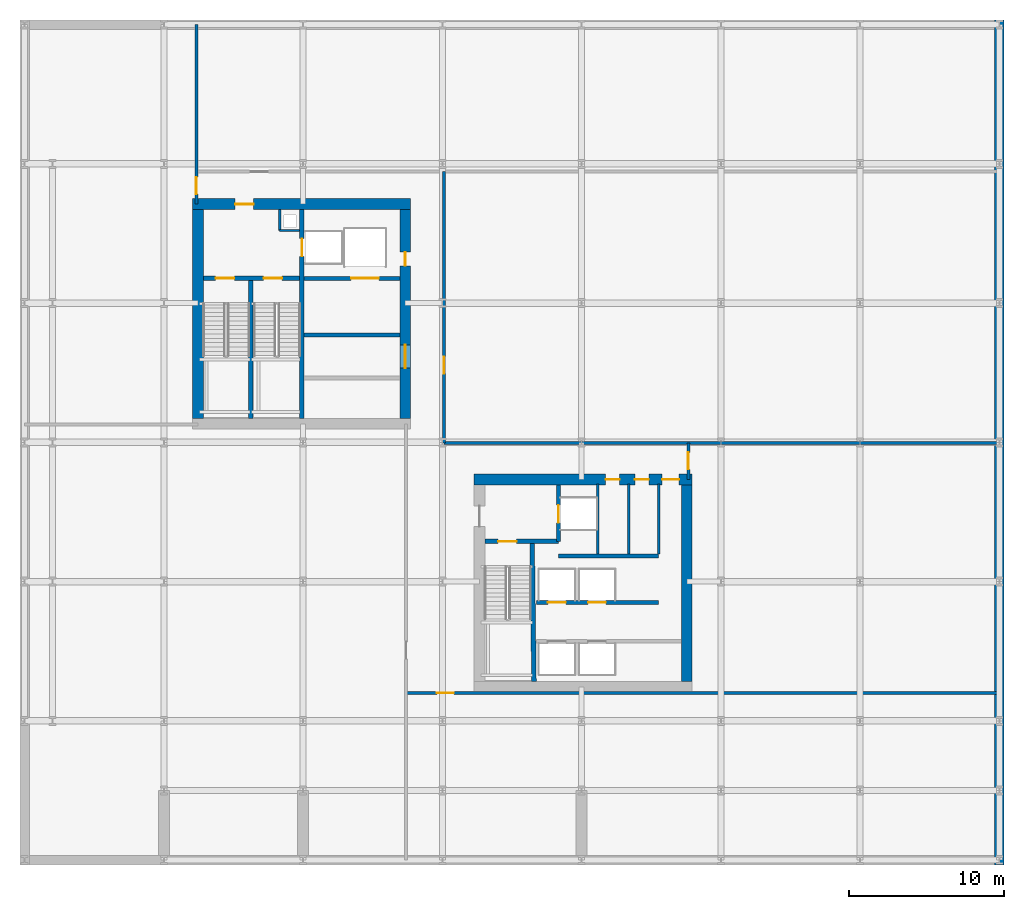
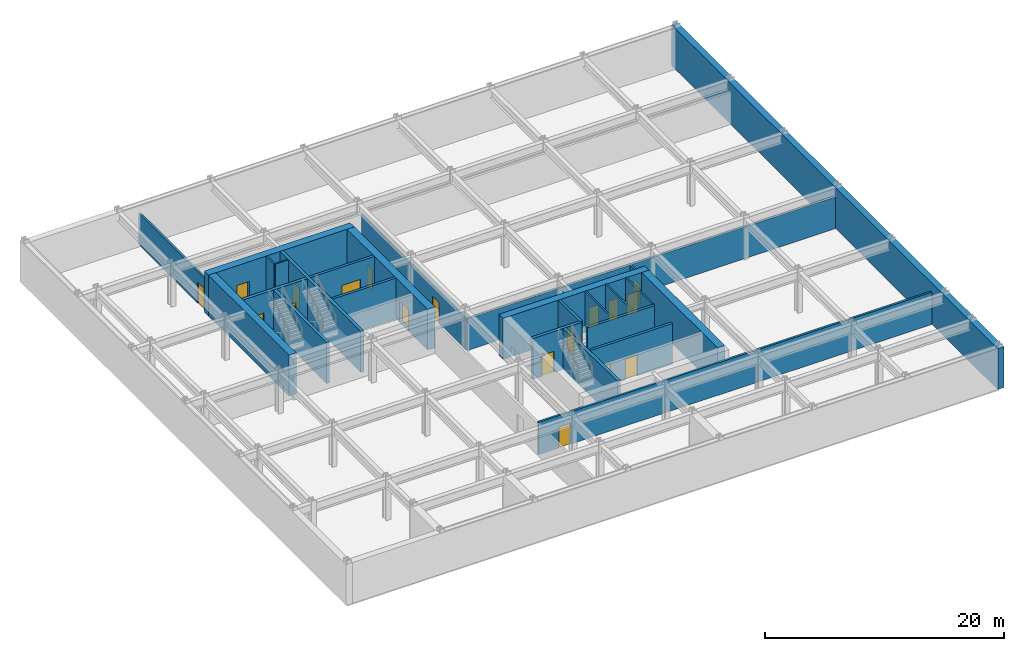
# One storey, part 3 of 6: 26 walls, 18 doors, 18 openings.
"""IFC4 building model written with IfcOpenShell, lengths in metres."""

from ifc_helpers import new_model, si_unit, direction, frame, frame_2d, origin, place, context, subcontext, project, spatial, rectangle, extrude, material, layer, layer_set, type_object, element, fill, save


model = new_model("IFC4")

# Units and contexts
model_context = context("Model", 3, precision=1e-05, world=origin(), true_north=direction((0.0, 1.0)))
body_context = subcontext(model_context, "Body", "Model", "MODEL_VIEW")
ifc_project = project(units=[si_unit("LENGTHUNIT", "METRE"), si_unit("AREAUNIT", "SQUARE_METRE"), si_unit("VOLUMEUNIT", "CUBIC_METRE"), si_unit("PLANEANGLEUNIT", "RADIAN"), si_unit("MASSUNIT", "GRAM", prefix="KILO")], contexts=[model_context])

# Site, building, storey
site_placement = place(None, origin())
site = spatial("IfcSite", under=ifc_project, at=site_placement, CompositionType="ELEMENT")
building_placement = place(site_placement, origin())
building = spatial("IfcBuilding", under=site, at=building_placement, Name="Solvaryn Broadcast Tower", CompositionType="ELEMENT")
storey_placement = place(building_placement, frame((0.0, 0.0, -4.5)))
storey = spatial("IfcBuildingStorey", under=building, at=storey_placement, Name="B01", CompositionType="ELEMENT", Elevation=-4.5)

# Wall, opening, door
ifc_material_1 = material(Name="Concrete f'c 70 MPa", Category="concrete")
ifc_layer_1 = layer(ifc_material_1, 0.699951171875)
ifc_layer_set_1 = layer_set([ifc_layer_1], Name="CW-SHEAR-700")
wall_type_1 = type_object("IfcWallType", Name="CW-SHEAR-700", PredefinedType="SHEAR", material=ifc_layer_set_1)
wall_1_placement = place(storey_placement, frame((24.949951171875, 42.39990234375, 0.0), z_axis=(0.0, 0.0, 1.0), x_axis=(-1.0, 0.0, 0.0)))
wall_1 = element("IfcWall", 1, at=wall_1_placement, inside=storey, type_object=wall_type_1, Name="B01 West Core North Shear Wall", PredefinedType="SHEAR", context=body_context, shape_type="SweptSolid", body=[
    extrude(rectangle(XDim=14.099853515625, YDim=0.699951171875, at=frame_2d((7.0498046875, 0.0))), origin(), (0.0, 0.0, 1.0), 4.179931640625),
])
opening_1_placement = place(wall_1_placement, frame((10.14990234375, 0.0, 0.0)))
opening_1 = element("IfcOpeningElement", 2, at=opening_1_placement, cuts=wall_1, Name="Opening FD90A", PredefinedType="OPENING", context=body_context, shape_type="SweptSolid", body=[
    extrude(rectangle(XDim=1.199951171875, YDim=2.14990234375, at=frame_2d((0.60009765625, 1.074951171875))), frame((0.0, 0.360107421875, 0.0), z_axis=(0.0, -1.0, 0.0), x_axis=(1.0, 0.0, 0.0)), (0.0, 0.0, 1.0), 0.719970703125),
])
ifc_material_2 = material(Name="Flush Acoustic Steel and Timber Door Assembly", Category="steel")
door_type_1 = type_object("IfcDoorType", Name="FD90-STAIR-1200X2150", OperationType="NOTDEFINED", PredefinedType="DOOR", material=ifc_material_2)
door_1_placement = place(opening_1_placement, origin())
door_1 = element("IfcDoor", 3, at=door_1_placement, inside=storey, type_object=door_type_1, Name="B01 West FSAE Lobby Corridor Door", OperationType="SINGLE_SWING_LEFT", OverallHeight=2.14990234375, OverallWidth=1.199951171875, PredefinedType="DOOR", context=body_context, shape_type="SweptSolid", body=[
    extrude(rectangle(XDim=1.199951171875, YDim=2.14990234375, at=frame_2d((0.60009765625, 1.074951171875))), frame((0.0, 0.02490234375, 0.0), z_axis=(0.0, -1.0, 0.0), x_axis=(1.0, 0.0, 0.0)), (0.0, 0.0, 1.0), 0.050048828125),
])
fill(opening_1, door_1)

# Wall
wall_2_placement = place(storey_placement, frame((11.199951171875, 42.050048828125, 0.0), z_axis=(0.0, 0.0, 1.0), x_axis=(0.0, -1.0, 0.0)))
element("IfcWall", 4, at=wall_2_placement, inside=storey, type_object=wall_type_1, Name="B01 West Core West Shear Wall", PredefinedType="SHEAR", context=body_context, shape_type="SweptSolid", body=[
    extrude(rectangle(XDim=13.5, YDim=0.699951171875, at=frame_2d((6.75, 0.0))), origin(), (0.0, 0.0, 1.0), 4.179931640625),
])

# Wall, openings, doors
wall_3_placement = place(storey_placement, frame((24.60009765625, 28.550048828125, 0.0), z_axis=(0.0, 0.0, 1.0), x_axis=(0.0, 1.0, 0.0)))
wall_3 = element("IfcWall", 5, at=wall_3_placement, inside=storey, type_object=wall_type_1, Name="B01 West Core East Shear Wall", PredefinedType="SHEAR", context=body_context, shape_type="SweptSolid", body=[
    extrude(rectangle(XDim=13.5, YDim=0.699951171875, at=frame_2d((6.75, 0.0))), origin(), (0.0, 0.0, 1.0), 4.179931640625),
])
opening_2_placement = place(wall_3_placement, frame((3.25, 0.0, 0.0)))
opening_2 = element("IfcOpeningElement", 6, at=opening_2_placement, cuts=wall_3, Name="Opening FD60A", PredefinedType="OPENING", context=body_context, shape_type="SweptSolid", body=[
    extrude(rectangle(XDim=1.5, YDim=2.199951171875, at=frame_2d((0.75, 1.10009765625))), frame((0.0, 0.360107421875, 0.0), z_axis=(0.0, -1.0, 0.0), x_axis=(1.0, 0.0, 0.0)), (0.0, 0.0, 1.0), 0.719970703125),
])
opening_3_placement = place(wall_3_placement, frame((9.85009765625, 0.0, 0.0)))
opening_3 = element("IfcOpeningElement", 7, at=opening_3_placement, cuts=wall_3, Name="Opening FD60C", PredefinedType="OPENING", context=body_context, shape_type="SweptSolid", body=[
    extrude(rectangle(XDim=0.89990234375, YDim=2.10009765625, at=frame_2d((0.449951171875, 1.050048828125))), frame((0.0, 0.360107421875, 0.0), z_axis=(0.0, -1.0, 0.0), x_axis=(1.0, 0.0, 0.0)), (0.0, 0.0, 1.0), 0.719970703125),
])
ifc_material_3 = material(Name="Flush Acoustic Steel and Timber Door Assembly", Category="steel")
door_type_2 = type_object("IfcDoorType", Name="FD60-CORR-1500X2200", OperationType="NOTDEFINED", PredefinedType="DOOR", material=ifc_material_3)
door_2_placement = place(opening_2_placement, origin())
door_2 = element("IfcDoor", 8, at=door_2_placement, inside=storey, type_object=door_type_2, Name="B01 West Elevator Lobby Corridor Door", OperationType="DOUBLE_DOOR_SINGLE_SWING", OverallHeight=2.199951171875, OverallWidth=1.5, PredefinedType="DOOR", context=body_context, shape_type="SweptSolid", body=[
    extrude(rectangle(XDim=1.5, YDim=2.199951171875, at=frame_2d((0.75, 1.10009765625))), frame((0.0, 0.02490234375, 0.0), z_axis=(0.0, -1.0, 0.0), x_axis=(1.0, 0.0, 0.0)), (0.0, 0.0, 1.0), 0.050048828125),
])
fill(opening_2, door_2)
ifc_material_4 = material(Name="Flush Acoustic Steel and Timber Door Assembly", Category="steel")
door_type_3 = type_object("IfcDoorType", Name="FD60-SERV-900X2100", OperationType="NOTDEFINED", PredefinedType="DOOR", material=ifc_material_4)
door_3_placement = place(opening_3_placement, origin())
door_3 = element("IfcDoor", 9, at=door_3_placement, inside=storey, type_object=door_type_3, Name="B01 West Core Service Door 1", OperationType="SINGLE_SWING_LEFT", OverallHeight=2.10009765625, OverallWidth=0.89990234375, PredefinedType="DOOR", context=body_context, shape_type="SweptSolid", body=[
    extrude(rectangle(XDim=0.89990234375, YDim=2.10009765625, at=frame_2d((0.449951171875, 1.050048828125))), frame((0.0, 0.02490234375, 0.0), z_axis=(0.0, -1.0, 0.0), x_axis=(1.0, 0.0, 0.0)), (0.0, 0.0, 1.0), 0.050048828125),
])
fill(opening_3, door_3)

wall_4_placement = place(storey_placement, frame((43.14990234375, 24.60009765625, 0.0), z_axis=(0.0, 0.0, 1.0), x_axis=(-1.0, 0.0, 0.0)))
wall_4 = element("IfcWall", 10, at=wall_4_placement, inside=storey, type_object=wall_type_1, Name="B01 East Core North Shear Wall", PredefinedType="SHEAR", context=body_context, shape_type="SweptSolid", body=[
    extrude(rectangle(XDim=14.099853515625, YDim=0.699951171875, at=frame_2d((7.0498046875, 0.0))), origin(), (0.0, 0.0, 1.0), 4.179931640625),
])
opening_4_placement = place(wall_4_placement, frame((0.85009765625, 0.0, 0.0)))
opening_4 = element("IfcOpeningElement", 11, at=opening_4_placement, cuts=wall_4, Name="Opening FD90C", PredefinedType="OPENING", context=body_context, shape_type="SweptSolid", body=[
    extrude(rectangle(XDim=1.10009765625, YDim=2.14990234375, at=frame_2d((0.550048828125, 1.074951171875))), frame((0.0, 0.360107421875, 0.0), z_axis=(0.0, -1.0, 0.0), x_axis=(1.0, 0.0, 0.0)), (0.0, 0.0, 1.0), 0.719970703125),
])
opening_5_placement = place(wall_4_placement, frame((2.800048828125, 0.0, 0.0)))
opening_5 = element("IfcOpeningElement", 12, at=opening_5_placement, cuts=wall_4, Name="Opening FD60C", PredefinedType="OPENING", context=body_context, shape_type="SweptSolid", body=[
    extrude(rectangle(XDim=0.89990234375, YDim=2.10009765625, at=frame_2d((0.449951171875, 1.050048828125))), frame((0.0, 0.360107421875, 0.0), z_axis=(0.0, -1.0, 0.0), x_axis=(1.0, 0.0, 0.0)), (0.0, 0.0, 1.0), 0.719970703125),
])
opening_6_placement = place(wall_4_placement, frame((4.699951171875, 0.0, 0.0)))
opening_6 = element("IfcOpeningElement", 13, at=opening_6_placement, cuts=wall_4, Name="Opening FD60C", PredefinedType="OPENING", context=body_context, shape_type="SweptSolid", body=[
    extrude(rectangle(XDim=0.89990234375, YDim=2.10009765625, at=frame_2d((0.449951171875, 1.050048828125))), frame((0.0, 0.360107421875, 0.0), z_axis=(0.0, -1.0, 0.0), x_axis=(1.0, 0.0, 0.0)), (0.0, 0.0, 1.0), 0.719970703125),
])
door_4_placement = place(opening_5_placement, origin())
door_4 = element("IfcDoor", 14, at=door_4_placement, inside=storey, type_object=door_type_3, Name="B01 Staff Restroom Door", OperationType="SINGLE_SWING_LEFT", OverallHeight=2.10009765625, OverallWidth=0.89990234375, PredefinedType="DOOR", context=body_context, shape_type="SweptSolid", body=[
    extrude(rectangle(XDim=0.89990234375, YDim=2.10009765625, at=frame_2d((0.449951171875, 1.050048828125))), frame((0.0, 0.02490234375, 0.0), z_axis=(0.0, -1.0, 0.0), x_axis=(1.0, 0.0, 0.0)), (0.0, 0.0, 1.0), 0.050048828125),
])
fill(opening_5, door_4)
door_5_placement = place(opening_6_placement, origin())
door_5 = element("IfcDoor", 15, at=door_5_placement, inside=storey, type_object=door_type_3, Name="B01 Accessible WC Door", OperationType="SINGLE_SWING_RIGHT", OverallHeight=2.10009765625, OverallWidth=0.89990234375, PredefinedType="DOOR", context=body_context, shape_type="SweptSolid", body=[
    extrude(rectangle(XDim=0.89990234375, YDim=2.10009765625, at=frame_2d((0.449951171875, 1.050048828125))), frame((0.0, 0.02490234375, 0.0), z_axis=(0.0, -1.0, 0.0), x_axis=(1.0, 0.0, 0.0)), (0.0, 0.0, 1.0), 0.050048828125),
])
fill(opening_6, door_5)
ifc_material_5 = material(Name="Flush Acoustic Steel and Timber Door Assembly", Category="steel")
door_type_4 = type_object("IfcDoorType", Name="FD90-PLANT-1100X2150", OperationType="NOTDEFINED", PredefinedType="DOOR", material=ifc_material_5)
door_6_placement = place(opening_4_placement, origin())
door_6 = element("IfcDoor", 16, at=door_6_placement, inside=storey, type_object=door_type_4, Name="B01 East Core Lobby Corridor Door", OperationType="SINGLE_SWING_LEFT", OverallHeight=2.14990234375, OverallWidth=1.10009765625, PredefinedType="DOOR", context=body_context, shape_type="SweptSolid", body=[
    extrude(rectangle(XDim=1.10009765625, YDim=2.14990234375, at=frame_2d((0.550048828125, 1.074951171875))), frame((0.0, 0.02490234375, 0.0), z_axis=(0.0, -1.0, 0.0), x_axis=(1.0, 0.0, 0.0)), (0.0, 0.0, 1.0), 0.050048828125),
])
fill(opening_4, door_6)

# Walls
wall_5_placement = place(storey_placement, frame((42.800048828125, 11.550048828125, 0.0), z_axis=(0.0, 0.0, 1.0), x_axis=(0.0, 1.0, 0.0)))
element("IfcWall", 17, at=wall_5_placement, inside=storey, type_object=wall_type_1, Name="B01 East Core East Shear Wall", PredefinedType="SHEAR", context=body_context, shape_type="SweptSolid", body=[
    extrude(rectangle(XDim=12.699951171875, YDim=0.699951171875, at=frame_2d((6.35009765625, 0.0))), origin(), (0.0, 0.0, 1.0), 4.179931640625),
])
ifc_material_6 = material(Name="Concrete f'c 60 MPa", Category="concrete")
ifc_layer_2 = layer(ifc_material_6, 0.60009765625)
ifc_layer_set_2 = layer_set([ifc_layer_2], Name="EW-BSMT-600")
wall_type_2 = type_object("IfcWallType", Name="EW-BSMT-600", PredefinedType="SOLIDWALL", material=ifc_layer_set_2)
wall_6_placement = place(storey_placement, frame((63.0, 54.300048828125, 0.0), z_axis=(0.0, 0.0, 1.0), x_axis=(0.0, -1.0, 0.0)))
element("IfcWall", 18, at=wall_6_placement, inside=storey, type_object=wall_type_2, Name="B01 Perimeter Retaining Wall E", PredefinedType="SOLIDWALL", context=body_context, shape_type="SweptSolid", body=[
    extrude(rectangle(XDim=54.60009765625, YDim=0.60009765625, at=frame_2d((27.300048828125, 0.0))), origin(), (0.0, 0.0, 1.0), 4.179931640625),
])
ifc_material_7 = material(Name="Metal-Stud Service Core Partition")
ifc_layer_3 = layer(ifc_material_7, 0.14990234375)
ifc_layer_set_3 = layer_set([ifc_layer_3], Name="IW-PART-150")
wall_type_3 = type_object("IfcWallType", Name="IW-PART-150", PredefinedType="PARTITIONING", material=ifc_layer_set_3)
wall_7_placement = place(storey_placement, frame((16.47998046875, 40.699951171875, 0.0), z_axis=(0.0, 0.0, 1.0), x_axis=(1.0, 0.0, 0.0)))
element("IfcWall", 19, at=wall_7_placement, inside=storey, type_object=wall_type_3, Name="B01 West Core Riser Shaft South Wall", PredefinedType="PARTITIONING", context=body_context, shape_type="SweptSolid", body=[
    extrude(rectangle(XDim=1.2900390625, YDim=0.14990234375, at=frame_2d((0.64501953125, 0.0))), origin(), (0.0, 0.0, 1.0), 4.179931640625),
])
wall_8_placement = place(storey_placement, frame((16.47998046875, 40.699951171875, 0.0), z_axis=(0.0, 0.0, 1.0), x_axis=(0.0, 1.0, 0.0)))
element("IfcWall", 20, at=wall_8_placement, inside=storey, type_object=wall_type_3, Name="B01 West Core Riser Shaft West Wall", PredefinedType="PARTITIONING", context=body_context, shape_type="SweptSolid", body=[
    extrude(rectangle(XDim=1.35009765625, YDim=0.14990234375, at=frame_2d((0.675048828125, 0.0))), origin(), (0.0, 0.0, 1.0), 4.179931640625),
])
for number, where, z_axis, x_axis, name in (
    (21, (37.050048828125, 19.780029296875, 0.0), (0.0, 0.0, 1.0), (0.0, 1.0, 0.0), "B01 Interior Partition IW-B01-CE-FL2E"),
    (22, (39.050048828125, 19.780029296875, 0.0), (0.0, 0.0, 1.0), (0.0, 1.0, 0.0), "B01 Interior Partition IW-B01-CE-V1"),
    (23, (40.97998046875, 19.780029296875, 0.0), (0.0, 0.0, 1.0), (0.0, 1.0, 0.0), "B01 Interior Partition IW-B01-CE-V3"),
):
    element("IfcWall", number, at=place(storey_placement, frame(where, z_axis=z_axis, x_axis=x_axis)), inside=storey, type_object=wall_type_3, Name=name, PredefinedType="PARTITIONING", context=body_context, shape_type="SweptSolid", body=[
        extrude(rectangle(XDim=4.52001953125, YDim=0.14990234375, at=frame_2d((2.260009765625, 0.0))), origin(), (0.0, 0.0, 1.0), 4.179931640625),
    ])

# Wall, opening, door
ifc_material_8 = material(Name="Gypsum Fire-Rated Shaftwall Assembly", Category="concrete")
ifc_layer_4 = layer(ifc_material_8, 0.199951171875)
ifc_layer_set_4 = layer_set([ifc_layer_4], Name="IW-RATED-200")
wall_type_4 = type_object("IfcWallType", Name="IW-RATED-200", PredefinedType="PARTITIONING", material=ifc_layer_set_4)
wall_9_placement = place(storey_placement, frame((11.10009765625, 42.39990234375, 0.0), z_axis=(0.0, 0.0, 1.0), x_axis=(0.0, 1.0, 0.0)))
wall_9 = element("IfcWall", 24, at=wall_9_placement, inside=storey, type_object=wall_type_4, Name="B01 Interior Partition IW-B01-BW3", PredefinedType="PARTITIONING", context=body_context, shape_type="SweptSolid", body=[
    extrude(rectangle(XDim=11.60009765625, YDim=0.199951171875, at=frame_2d((5.800048828125, 0.0))), origin(), (0.0, 0.0, 1.0), 3.23291015625),
])
opening_7_placement = place(wall_9_placement, frame((0.64990234375, 0.0, 0.0)))
opening_7 = element("IfcOpeningElement", 25, at=opening_7_placement, cuts=wall_9, Name="Opening FD90C", PredefinedType="OPENING", context=body_context, shape_type="SweptSolid", body=[
    extrude(rectangle(XDim=1.10009765625, YDim=2.14990234375, at=frame_2d((0.550048828125, 1.074951171875))), frame((0.0, 0.110107421875, 0.0), z_axis=(0.0, -1.0, 0.0), x_axis=(1.0, 0.0, 0.0)), (0.0, 0.0, 1.0), 0.219970703125),
])
door_7_placement = place(opening_7_placement, origin())
door_7 = element("IfcDoor", 26, at=door_7_placement, inside=storey, type_object=door_type_4, Name="B01 Door DR-B01-BD4", OperationType="SINGLE_SWING_LEFT", OverallHeight=2.14990234375, OverallWidth=1.10009765625, PredefinedType="DOOR", context=body_context, shape_type="SweptSolid", body=[
    extrude(rectangle(XDim=1.10009765625, YDim=2.14990234375, at=frame_2d((0.550048828125, 1.074951171875))), frame((0.0, 0.02490234375, 0.0), z_axis=(0.0, -1.0, 0.0), x_axis=(1.0, 0.0, 0.0)), (0.0, 0.0, 1.0), 0.050048828125),
])
fill(opening_7, door_7)

wall_10_placement = place(storey_placement, frame((27.10009765625, 26.949951171875, 0.0), z_axis=(0.0, 0.0, 1.0), x_axis=(0.0, 1.0, 0.0)))
wall_10 = element("IfcWall", 27, at=wall_10_placement, inside=storey, type_object=wall_type_4, Name="B01 Interior Partition IW-B01-BW5", PredefinedType="PARTITIONING", context=body_context, shape_type="SweptSolid", body=[
    extrude(rectangle(XDim=17.550048828125, YDim=0.199951171875, at=frame_2d((8.77490234375, 0.0))), origin(), (0.0, 0.0, 1.0), 3.23291015625),
])
opening_8_placement = place(wall_10_placement, frame((4.5, 0.0, 0.0)))
opening_8 = element("IfcOpeningElement", 28, at=opening_8_placement, cuts=wall_10, Name="Opening FD90C", PredefinedType="OPENING", context=body_context, shape_type="SweptSolid", body=[
    extrude(rectangle(XDim=1.10009765625, YDim=2.14990234375, at=frame_2d((0.550048828125, 1.074951171875))), frame((0.0, 0.110107421875, 0.0), z_axis=(0.0, -1.0, 0.0), x_axis=(1.0, 0.0, 0.0)), (0.0, 0.0, 1.0), 0.219970703125),
])
door_8_placement = place(opening_8_placement, origin())
door_8 = element("IfcDoor", 29, at=door_8_placement, inside=storey, type_object=door_type_4, Name="B01 Door DR-B01-BD6", OperationType="SINGLE_SWING_LEFT", OverallHeight=2.14990234375, OverallWidth=1.10009765625, PredefinedType="DOOR", context=body_context, shape_type="SweptSolid", body=[
    extrude(rectangle(XDim=1.10009765625, YDim=2.14990234375, at=frame_2d((0.550048828125, 1.074951171875))), frame((0.0, 0.02490234375, 0.0), z_axis=(0.0, -1.0, 0.0), x_axis=(1.0, 0.0, 0.0)), (0.0, 0.0, 1.0), 0.050048828125),
])
fill(opening_8, door_8)

# Wall
wall_11_placement = place(storey_placement, frame((27.10009765625, 26.949951171875, 0.0), z_axis=(0.0, 0.0, 1.0), x_axis=(1.0, 0.0, 0.0)))
element("IfcWall", 30, at=wall_11_placement, inside=storey, type_object=wall_type_4, Name="B01 Interior Partition IW-B01-BW6", PredefinedType="PARTITIONING", context=body_context, shape_type="SweptSolid", body=[
    extrude(rectangle(XDim=35.89990234375, YDim=0.199951171875, at=frame_2d((17.949951171875, 0.0))), origin(), (0.0, 0.0, 1.0), 3.23291015625),
])

# Wall, opening, door
wall_12_placement = place(storey_placement, frame((42.89990234375, 24.60009765625, 0.0), z_axis=(0.0, 0.0, 1.0), x_axis=(0.0, 1.0, 0.0)))
wall_12 = element("IfcWall", 31, at=wall_12_placement, inside=storey, type_object=wall_type_4, Name="B01 Interior Partition IW-B01-BW7", PredefinedType="PARTITIONING", context=body_context, shape_type="SweptSolid", body=[
    extrude(rectangle(XDim=2.349853515625, YDim=0.199951171875, at=frame_2d((1.1748046875, 0.0))), origin(), (0.0, 0.0, 1.0), 3.23291015625),
])
opening_9_placement = place(wall_12_placement, frame((0.64990234375, 0.0, 0.0)))
opening_9 = element("IfcOpeningElement", 32, at=opening_9_placement, cuts=wall_12, Name="Opening FD90C", PredefinedType="OPENING", context=body_context, shape_type="SweptSolid", body=[
    extrude(rectangle(XDim=1.10009765625, YDim=2.14990234375, at=frame_2d((0.550048828125, 1.074951171875))), frame((0.0, 0.110107421875, 0.0), z_axis=(0.0, -1.0, 0.0), x_axis=(1.0, 0.0, 0.0)), (0.0, 0.0, 1.0), 0.219970703125),
])
door_9_placement = place(opening_9_placement, origin())
door_9 = element("IfcDoor", 33, at=door_9_placement, inside=storey, type_object=door_type_4, Name="B01 Door DR-B01-BD3", OperationType="SINGLE_SWING_RIGHT", OverallHeight=2.14990234375, OverallWidth=1.10009765625, PredefinedType="DOOR", context=body_context, shape_type="SweptSolid", body=[
    extrude(rectangle(XDim=1.10009765625, YDim=2.14990234375, at=frame_2d((0.550048828125, 1.074951171875))), frame((0.0, 0.02490234375, 0.0), z_axis=(0.0, -1.0, 0.0), x_axis=(1.0, 0.0, 0.0)), (0.0, 0.0, 1.0), 0.050048828125),
])
fill(opening_9, door_9)

wall_13_placement = place(storey_placement, frame((24.64990234375, 10.800048828125, 0.0), z_axis=(0.0, 0.0, 1.0), x_axis=(1.0, 0.0, 0.0)))
wall_13 = element("IfcWall", 34, at=wall_13_placement, inside=storey, type_object=wall_type_4, Name="B01 Interior Partition IW-B01-BW8", PredefinedType="PARTITIONING", context=body_context, shape_type="SweptSolid", body=[
    extrude(rectangle(XDim=38.35009765625, YDim=0.199951171875, at=frame_2d((19.175048828125, 0.0))), origin(), (0.0, 0.0, 1.0), 3.304931640625),
])
opening_10_placement = place(wall_13_placement, frame((2.0, 0.0, 0.0)))
opening_10 = element("IfcOpeningElement", 35, at=opening_10_placement, cuts=wall_13, Name="Opening FD90C", PredefinedType="OPENING", context=body_context, shape_type="SweptSolid", body=[
    extrude(rectangle(XDim=1.10009765625, YDim=2.14990234375, at=frame_2d((0.550048828125, 1.074951171875))), frame((0.0, 0.110107421875, 0.0), z_axis=(0.0, -1.0, 0.0), x_axis=(1.0, 0.0, 0.0)), (0.0, 0.0, 1.0), 0.219970703125),
])
door_10_placement = place(opening_10_placement, origin())
door_10 = element("IfcDoor", 36, at=door_10_placement, inside=storey, type_object=door_type_4, Name="B01 Door DR-B01-BD2", OperationType="SINGLE_SWING_LEFT", OverallHeight=2.14990234375, OverallWidth=1.10009765625, PredefinedType="DOOR", context=body_context, shape_type="SweptSolid", body=[
    extrude(rectangle(XDim=1.10009765625, YDim=2.14990234375, at=frame_2d((0.550048828125, 1.074951171875))), frame((0.0, 0.02490234375, 0.0), z_axis=(0.0, -1.0, 0.0), x_axis=(1.0, 0.0, 0.0)), (0.0, 0.0, 1.0), 0.050048828125),
])
fill(opening_10, door_10)

ifc_material_9 = material(Name="Concrete f'c 60 MPa", Category="concrete")
ifc_layer_5 = layer(ifc_material_9, 0.25)
ifc_layer_set_5 = layer_set([ifc_layer_5], Name="SW-SHAFT-250")
wall_type_5 = type_object("IfcWallType", Name="SW-SHAFT-250", PredefinedType="PARTITIONING", material=ifc_layer_set_5)
wall_14_placement = place(storey_placement, frame((18.070068359375, 37.60009765625, 0.0), z_axis=(0.0, 0.0, 1.0), x_axis=(1.0, 0.0, 0.0)))
wall_14 = element("IfcWall", 37, at=wall_14_placement, inside=storey, type_object=wall_type_5, Name="B01 West Core FSAE Hoistway Front Wall", PredefinedType="PARTITIONING", context=body_context, shape_type="SweptSolid", body=[
    extrude(rectangle(XDim=6.179931640625, YDim=0.25, at=frame_2d((3.08984375, 0.0))), origin(), (0.0, 0.0, 1.0), 4.179931640625),
])
opening_11_placement = place(wall_14_placement, frame((3.030029296875, 0.0, 0.0)))
opening_11 = element("IfcOpeningElement", 38, at=opening_11_placement, cuts=wall_14, Name="Opening LD02", PredefinedType="OPENING", context=body_context, shape_type="SweptSolid", body=[
    extrude(rectangle(XDim=1.800048828125, YDim=2.300048828125, at=frame_2d((0.89990234375, 1.14990234375))), frame((0.0, 0.135009765625, 0.0), z_axis=(0.0, -1.0, 0.0), x_axis=(1.0, 0.0, 0.0)), (0.0, 0.0, 1.0), 0.27001953125),
])
ifc_material_10 = material(Name="Flush Acoustic Steel and Timber Door Assembly", Category="steel")
door_type_5 = type_object("IfcDoorType", Name="LD-FREIGHT-1800X2300", OperationType="NOTDEFINED", PredefinedType="DOOR", material=ifc_material_10)
door_11_placement = place(opening_11_placement, origin())
door_11 = element("IfcDoor", 39, at=door_11_placement, inside=storey, type_object=door_type_5, Name="B01 SV1 Freight Lift Landing Door", OperationType="DOUBLE_DOOR_SLIDING", OverallHeight=2.300048828125, OverallWidth=1.800048828125, PredefinedType="DOOR", context=body_context, shape_type="SweptSolid", body=[
    extrude(rectangle(XDim=1.800048828125, YDim=2.300048828125, at=frame_2d((0.89990234375, 1.14990234375))), frame((0.0, 0.02490234375, 0.0), z_axis=(0.0, -1.0, 0.0), x_axis=(1.0, 0.0, 0.0)), (0.0, 0.0, 1.0), 0.050048828125),
])
fill(opening_11, door_11)

# Wall
wall_15_placement = place(storey_placement, frame((24.25, 33.949951171875, 0.0), z_axis=(0.0, 0.0, 1.0), x_axis=(-1.0, 0.0, 0.0)))
element("IfcWall", 40, at=wall_15_placement, inside=storey, type_object=wall_type_5, Name="B01 High-Rise Lift Bank North Wall", PredefinedType="PARTITIONING", context=body_context, shape_type="SweptSolid", body=[
    extrude(rectangle(XDim=6.179931640625, YDim=0.25, at=frame_2d((3.08984375, 0.0))), origin(), (0.0, 0.0, 1.0), 4.179931640625),
])

# Wall, opening, door
wall_16_placement = place(storey_placement, frame((34.5, 20.60009765625, 0.0), z_axis=(0.0, 0.0, 1.0), x_axis=(0.0, 1.0, 0.0)))
wall_16 = element("IfcWall", 41, at=wall_16_placement, inside=storey, type_object=wall_type_5, Name="B01 East FSAE Lobby East Wall", PredefinedType="PARTITIONING", context=body_context, shape_type="SweptSolid", body=[
    extrude(rectangle(XDim=3.64990234375, YDim=0.25, at=frame_2d((1.824951171875, 0.0))), origin(), (0.0, 0.0, 1.0), 4.179931640625),
])
opening_12_placement = place(wall_16_placement, frame((1.199951171875, 0.0, 0.0)))
opening_12 = element("IfcOpeningElement", 42, at=opening_12_placement, cuts=wall_16, Name="Opening LD01", PredefinedType="OPENING", context=body_context, shape_type="SweptSolid", body=[
    extrude(rectangle(XDim=1.14990234375, YDim=2.14990234375, at=frame_2d((0.574951171875, 1.074951171875))), frame((0.0, 0.135009765625, 0.0), z_axis=(0.0, -1.0, 0.0), x_axis=(1.0, 0.0, 0.0)), (0.0, 0.0, 1.0), 0.27001953125),
])
ifc_material_11 = material(Name="Flush Acoustic Steel and Timber Door Assembly", Category="steel")
door_type_6 = type_object("IfcDoorType", Name="LD-LIFT-1150X2150", OperationType="NOTDEFINED", PredefinedType="DOOR", material=ifc_material_11)
door_12_placement = place(opening_12_placement, origin())
door_12 = element("IfcDoor", 43, at=door_12_placement, inside=storey, type_object=door_type_6, Name="B01 FL2 Lift Landing Door", OperationType="DOUBLE_DOOR_SLIDING", OverallHeight=2.14990234375, OverallWidth=1.14990234375, PredefinedType="DOOR", context=body_context, shape_type="SweptSolid", body=[
    extrude(rectangle(XDim=1.14990234375, YDim=2.14990234375, at=frame_2d((0.574951171875, 1.074951171875))), frame((0.0, 0.02490234375, 0.0), z_axis=(0.0, -1.0, 0.0), x_axis=(1.0, 0.0, 0.0)), (0.0, 0.0, 1.0), 0.050048828125),
])
fill(opening_12, door_12)

# Wall
wall_17_placement = place(storey_placement, frame((34.5, 19.64990234375, 0.0), z_axis=(0.0, 0.0, 1.0), x_axis=(1.0, 0.0, 0.0)))
element("IfcWall", 44, at=wall_17_placement, inside=storey, type_object=wall_type_5, Name="B01 East Core Restroom South Wall", PredefinedType="PARTITIONING", context=body_context, shape_type="SweptSolid", body=[
    extrude(rectangle(XDim=6.47998046875, YDim=0.25, at=frame_2d((3.239990234375, 0.0))), origin(), (0.0, 0.0, 1.0), 4.179931640625),
])

# Wall, openings, doors
wall_18_placement = place(storey_placement, frame((40.97998046875, 16.64990234375, 0.0), z_axis=(0.0, 0.0, 1.0), x_axis=(-1.0, 0.0, 0.0)))
wall_18 = element("IfcWall", 45, at=wall_18_placement, inside=storey, type_object=wall_type_5, Name="B01 East Lift Bank North Wall", PredefinedType="PARTITIONING", context=body_context, shape_type="SweptSolid", body=[
    extrude(rectangle(XDim=7.909912109375, YDim=0.25, at=frame_2d((3.955078125, 0.0))), origin(), (0.0, 0.0, 1.0), 4.179931640625),
])
opening_13_placement = place(wall_18_placement, frame((6.0048828125, 0.0, 0.0)))
opening_13 = element("IfcOpeningElement", 46, at=opening_13_placement, cuts=wall_18, Name="Opening LD01", PredefinedType="OPENING", context=body_context, shape_type="SweptSolid", body=[
    extrude(rectangle(XDim=1.14990234375, YDim=2.14990234375, at=frame_2d((0.574951171875, 1.074951171875))), frame((0.0, 0.135009765625, 0.0), z_axis=(0.0, -1.0, 0.0), x_axis=(1.0, 0.0, 0.0)), (0.0, 0.0, 1.0), 0.27001953125),
])
opening_14_placement = place(wall_18_placement, frame((3.405029296875, 0.0, 0.0)))
opening_14 = element("IfcOpeningElement", 47, at=opening_14_placement, cuts=wall_18, Name="Opening LD01", PredefinedType="OPENING", context=body_context, shape_type="SweptSolid", body=[
    extrude(rectangle(XDim=1.14990234375, YDim=2.14990234375, at=frame_2d((0.574951171875, 1.074951171875))), frame((0.0, 0.135009765625, 0.0), z_axis=(0.0, -1.0, 0.0), x_axis=(1.0, 0.0, 0.0)), (0.0, 0.0, 1.0), 0.27001953125),
])
door_13_placement = place(opening_13_placement, origin())
door_13 = element("IfcDoor", 48, at=door_13_placement, inside=storey, type_object=door_type_6, Name="B01 PL3 Lift Landing Door", OperationType="DOUBLE_DOOR_SLIDING", OverallHeight=2.14990234375, OverallWidth=1.14990234375, PredefinedType="DOOR", context=body_context, shape_type="SweptSolid", body=[
    extrude(rectangle(XDim=1.14990234375, YDim=2.14990234375, at=frame_2d((0.574951171875, 1.074951171875))), frame((0.0, 0.02490234375, 0.0), z_axis=(0.0, -1.0, 0.0), x_axis=(1.0, 0.0, 0.0)), (0.0, 0.0, 1.0), 0.050048828125),
])
fill(opening_13, door_13)
door_14_placement = place(opening_14_placement, origin())
door_14 = element("IfcDoor", 49, at=door_14_placement, inside=storey, type_object=door_type_6, Name="B01 PL4 Lift Landing Door", OperationType="DOUBLE_DOOR_SLIDING", OverallHeight=2.14990234375, OverallWidth=1.14990234375, PredefinedType="DOOR", context=body_context, shape_type="SweptSolid", body=[
    extrude(rectangle(XDim=1.14990234375, YDim=2.14990234375, at=frame_2d((0.574951171875, 1.074951171875))), frame((0.0, 0.02490234375, 0.0), z_axis=(0.0, -1.0, 0.0), x_axis=(1.0, 0.0, 0.0)), (0.0, 0.0, 1.0), 0.050048828125),
])
fill(opening_14, door_14)

# Wall
ifc_material_12 = material(Name="Concrete f'c 70 MPa", Category="concrete")
ifc_layer_6 = layer(ifc_material_12, 0.300048828125)
ifc_layer_set_6 = layer_set([ifc_layer_6], Name="SW-SHAFT-300")
wall_type_6 = type_object("IfcWallType", Name="SW-SHAFT-300", PredefinedType="SHEAR", material=ifc_layer_set_6)
wall_19_placement = place(storey_placement, frame((14.6201171875, 28.550048828125, 0.0), z_axis=(0.0, 0.0, 1.0), x_axis=(0.0, 1.0, 0.0)))
element("IfcWall", 50, at=wall_19_placement, inside=storey, type_object=wall_type_6, Name="B01 Stair 1-2 Dividing Wall", PredefinedType="SHEAR", context=body_context, shape_type="SweptSolid", body=[
    extrude(rectangle(XDim=8.89990234375, YDim=0.300048828125, at=frame_2d((4.449951171875, 0.0))), origin(), (0.0, 0.0, 1.0), 4.179931640625),
])

# Wall, opening, door
wall_20_placement = place(storey_placement, frame((17.919921875, 42.050048828125, 0.0), z_axis=(0.0, 0.0, 1.0), x_axis=(0.0, -1.0, 0.0)))
wall_20 = element("IfcWall", 51, at=wall_20_placement, inside=storey, type_object=wall_type_6, Name="B01 West Core Stair-Lobby Shear Wall", PredefinedType="SHEAR", context=body_context, shape_type="SweptSolid", body=[
    extrude(rectangle(XDim=13.5, YDim=0.300048828125, at=frame_2d((6.75, 0.0))), origin(), (0.0, 0.0, 1.0), 4.179931640625),
])
opening_15_placement = place(wall_20_placement, frame((1.875, 0.0, 0.0)))
opening_15 = element("IfcOpeningElement", 52, at=opening_15_placement, cuts=wall_20, Name="Opening LD01", PredefinedType="OPENING", context=body_context, shape_type="SweptSolid", body=[
    extrude(rectangle(XDim=1.14990234375, YDim=2.14990234375, at=frame_2d((0.574951171875, 1.074951171875))), frame((0.0, 0.159912109375, 0.0), z_axis=(0.0, -1.0, 0.0), x_axis=(1.0, 0.0, 0.0)), (0.0, 0.0, 1.0), 0.320068359375),
])
door_15_placement = place(opening_15_placement, origin())
door_15 = element("IfcDoor", 53, at=door_15_placement, inside=storey, type_object=door_type_6, Name="B01 FL1 Lift Landing Door", OperationType="DOUBLE_DOOR_SLIDING", OverallHeight=2.14990234375, OverallWidth=1.14990234375, PredefinedType="DOOR", context=body_context, shape_type="SweptSolid", body=[
    extrude(rectangle(XDim=1.14990234375, YDim=2.14990234375, at=frame_2d((0.574951171875, 1.074951171875))), frame((0.0, 0.02490234375, 0.0), z_axis=(0.0, -1.0, 0.0), x_axis=(1.0, 0.0, 0.0)), (0.0, 0.0, 1.0), 0.050048828125),
])
fill(opening_15, door_15)

# Wall, openings, doors
wall_21_placement = place(storey_placement, frame((17.77001953125, 37.60009765625, 0.0), z_axis=(0.0, 0.0, 1.0), x_axis=(-1.0, 0.0, 0.0)))
wall_21 = element("IfcWall", 54, at=wall_21_placement, inside=storey, type_object=wall_type_6, Name="B01 West Core FSAE Lobby South Wall", PredefinedType="SHEAR", context=body_context, shape_type="SweptSolid", body=[
    extrude(rectangle(XDim=6.219970703125, YDim=0.300048828125, at=frame_2d((3.10986328125, 0.0))), origin(), (0.0, 0.0, 1.0), 4.179931640625),
])
opening_16_placement = place(wall_21_placement, frame((4.219970703125, 0.0, 0.0)))
opening_16 = element("IfcOpeningElement", 55, at=opening_16_placement, cuts=wall_21, Name="Opening FD90A", PredefinedType="OPENING", context=body_context, shape_type="SweptSolid", body=[
    extrude(rectangle(XDim=1.199951171875, YDim=2.14990234375, at=frame_2d((0.60009765625, 1.074951171875))), frame((0.0, 0.159912109375, 0.0), z_axis=(0.0, -1.0, 0.0), x_axis=(1.0, 0.0, 0.0)), (0.0, 0.0, 1.0), 0.320068359375),
])
opening_17_placement = place(wall_21_placement, frame((1.1201171875, 0.0, 0.0)))
opening_17 = element("IfcOpeningElement", 56, at=opening_17_placement, cuts=wall_21, Name="Opening FD90A", PredefinedType="OPENING", context=body_context, shape_type="SweptSolid", body=[
    extrude(rectangle(XDim=1.199951171875, YDim=2.14990234375, at=frame_2d((0.60009765625, 1.074951171875))), frame((0.0, 0.159912109375, 0.0), z_axis=(0.0, -1.0, 0.0), x_axis=(1.0, 0.0, 0.0)), (0.0, 0.0, 1.0), 0.320068359375),
])
door_16_placement = place(opening_16_placement, origin())
door_16 = element("IfcDoor", 57, at=door_16_placement, inside=storey, type_object=door_type_1, Name="B01 Stair 1 Fire Door", OperationType="SINGLE_SWING_LEFT", OverallHeight=2.14990234375, OverallWidth=1.199951171875, PredefinedType="DOOR", context=body_context, shape_type="SweptSolid", body=[
    extrude(rectangle(XDim=1.199951171875, YDim=2.14990234375, at=frame_2d((0.60009765625, 1.074951171875))), frame((0.0, 0.02490234375, 0.0), z_axis=(0.0, -1.0, 0.0), x_axis=(1.0, 0.0, 0.0)), (0.0, 0.0, 1.0), 0.050048828125),
])
fill(opening_16, door_16)
door_17_placement = place(opening_17_placement, origin())
door_17 = element("IfcDoor", 58, at=door_17_placement, inside=storey, type_object=door_type_1, Name="B01 Stair 2 Fire Door", OperationType="SINGLE_SWING_RIGHT", OverallHeight=2.14990234375, OverallWidth=1.199951171875, PredefinedType="DOOR", context=body_context, shape_type="SweptSolid", body=[
    extrude(rectangle(XDim=1.199951171875, YDim=2.14990234375, at=frame_2d((0.60009765625, 1.074951171875))), frame((0.0, 0.02490234375, 0.0), z_axis=(0.0, -1.0, 0.0), x_axis=(1.0, 0.0, 0.0)), (0.0, 0.0, 1.0), 0.050048828125),
])
fill(opening_17, door_17)

# Wall
wall_22_placement = place(storey_placement, frame((32.919921875, 11.550048828125, 0.0), z_axis=(0.0, 0.0, 1.0), x_axis=(-0.01331804616, 0.99991131089, 0.0)))
element("IfcWall", 59, at=wall_22_placement, inside=storey, type_object=wall_type_6, Name="B01 Stair 3 East Shear Wall", PredefinedType="SHEAR", context=body_context, shape_type="SweptSolid", body=[
    extrude(rectangle(XDim=9.000732421875, YDim=0.300048828125, at=frame_2d((4.50048828125, 0.0))), origin(), (0.0, 0.0, 1.0), 4.179931640625),
])

# Wall, opening, door
wall_23_placement = place(storey_placement, frame((34.5, 20.60009765625, 0.0), z_axis=(0.0, 0.0, 1.0), x_axis=(-1.0, 0.0, 0.0)))
wall_23 = element("IfcWall", 60, at=wall_23_placement, inside=storey, type_object=wall_type_6, Name="B01 East FSAE Lobby South Wall", PredefinedType="SHEAR", context=body_context, shape_type="SweptSolid", body=[
    extrude(rectangle(XDim=4.75, YDim=0.300048828125, at=frame_2d((2.375, 0.0))), origin(), (0.0, 0.0, 1.0), 4.179931640625),
])
opening_18_placement = place(wall_23_placement, frame((2.699951171875, 0.0, 0.0)))
opening_18 = element("IfcOpeningElement", 61, at=opening_18_placement, cuts=wall_23, Name="Opening FD90A", PredefinedType="OPENING", context=body_context, shape_type="SweptSolid", body=[
    extrude(rectangle(XDim=1.199951171875, YDim=2.14990234375, at=frame_2d((0.60009765625, 1.074951171875))), frame((0.0, 0.159912109375, 0.0), z_axis=(0.0, -1.0, 0.0), x_axis=(1.0, 0.0, 0.0)), (0.0, 0.0, 1.0), 0.320068359375),
])
door_18_placement = place(opening_18_placement, origin())
door_18 = element("IfcDoor", 62, at=door_18_placement, inside=storey, type_object=door_type_1, Name="B01 Stair 3 Fire Door", OperationType="SINGLE_SWING_LEFT", OverallHeight=2.14990234375, OverallWidth=1.199951171875, PredefinedType="DOOR", context=body_context, shape_type="SweptSolid", body=[
    extrude(rectangle(XDim=1.199951171875, YDim=2.14990234375, at=frame_2d((0.60009765625, 1.074951171875))), frame((0.0, 0.02490234375, 0.0), z_axis=(0.0, -1.0, 0.0), x_axis=(1.0, 0.0, 0.0)), (0.0, 0.0, 1.0), 0.050048828125),
])
fill(opening_18, door_18)

save(model, "model.ifc")
